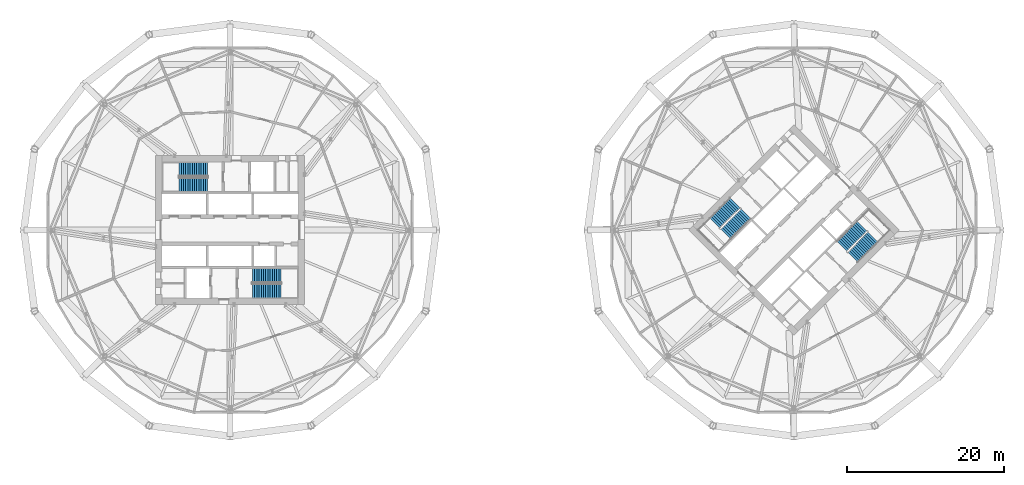
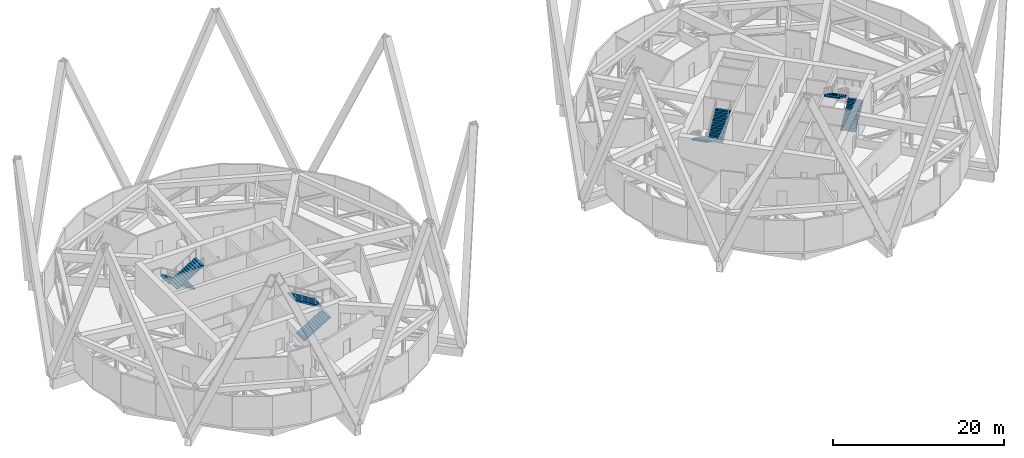
# One storey, part 20 of 21: 8 stair flights, 4 elements without a shape of their own.
"""IFC4 building model written with IfcOpenShell, lengths in metres."""

import ifcopenshell
import ifcopenshell.guid

model = None  # the IFC model being written
_history = None  # IfcOwnerHistory: only IFC2X3 demands one
_inside = {}  # id of a spatial element -> (the spatial element, [elements in it])
_under = {}  # id of a project, library or spatial element -> (it, [spatial elements below it])
_declared = {}  # id of a project -> (the project, [libraries it declares])
_typed = {}  # id of a type object -> (the type object, [elements of that type])
_made_of = {}  # id of a material, layer set ... -> (it, [elements and type objects made of it])


def new_model(schema):
    """Start an empty IFC model of exactly this schema.

    Asked for "IFC4X3", IfcOpenShell would pick the latest addendum, in which some entities
    have other attributes; the version numbers below select the first issue.
    IFC2X3 requires an IfcOwnerHistory on every rooted entity: one is made here for all.
    """
    global model, _history
    if schema == "IFC4X3":
        model = ifcopenshell.file(schema_version=(4, 3, 0, 0))
    else:
        model = ifcopenshell.file(schema=schema)
    _inside.clear()
    _under.clear()
    _declared.clear()
    _typed.clear()
    _made_of.clear()
    _history = None
    if model.schema == "IFC2X3":
        org = make("IfcOrganization", Name="unknown")
        user = make(
            "IfcPersonAndOrganization",
            ThePerson=make("IfcPerson", FamilyName="unknown"),
            TheOrganization=org,
        )
        app = make(
            "IfcApplication",
            ApplicationDeveloper=org,
            Version="unknown",
            ApplicationFullName="unknown",
            ApplicationIdentifier="unknown",
        )
        _history = make(
            "IfcOwnerHistory",
            OwningUser=user,
            OwningApplication=app,
            ChangeAction="ADDED",
            CreationDate=0,
        )
    return model


def make(cls, **values):
    """One entity of the class cls with the attributes given. An attribute that is None is left unset."""
    return model.create_entity(
        cls, **{name: value for name, value in values.items() if value is not None}
    )


def rooted(cls, **values):
    """An entity with a GlobalId (a new one), such as an element, a storey or a relation."""
    return make(cls, GlobalId=ifcopenshell.guid.new(), OwnerHistory=_history, **values)


def si_unit(unit_type, name, prefix=None):
    """IfcSIUnit, for example si_unit("LENGTHUNIT", "METRE", prefix="MILLI")."""
    return make("IfcSIUnit", UnitType=unit_type, Prefix=prefix, Name=name)


def assignment(units):
    """IfcUnitAssignment: the units of a project."""
    return None if units is None else make("IfcUnitAssignment", Units=units)


def point(xyz):
    """IfcCartesianPoint."""
    return None if xyz is None else make("IfcCartesianPoint", Coordinates=xyz)


def direction(xyz):
    """IfcDirection."""
    return None if xyz is None else make("IfcDirection", DirectionRatios=xyz)


def frame(location, z_axis=None, x_axis=None):
    """IfcAxis2Placement3D, a coordinate frame: its origin and axes. An axis left out is left unset."""
    return make(
        "IfcAxis2Placement3D",
        Location=point(location),
        Axis=direction(z_axis),
        RefDirection=direction(x_axis),
    )


def origin():
    """The frame at (0, 0, 0) with its axes left unset."""
    return frame((0.0, 0.0, 0.0))


def place(relative_to, where):
    """IfcLocalPlacement: puts the frame where relative to a parent placement (None: the world)."""
    return make(
        "IfcLocalPlacement", PlacementRelTo=relative_to, RelativePlacement=where
    )


def context(
    kind, dimensions, precision=None, world=None, true_north=None, identifier=None
):
    """IfcGeometricRepresentationContext, for example the 3D "Model" context."""
    return make(
        "IfcGeometricRepresentationContext",
        ContextIdentifier=identifier,
        ContextType=kind,
        CoordinateSpaceDimension=dimensions,
        Precision=precision,
        WorldCoordinateSystem=world,
        TrueNorth=true_north,
    )


def subcontext(parent, identifier, kind, view, scale=None):
    """IfcGeometricRepresentationSubContext, for example "Body" below "Model"."""
    return make(
        "IfcGeometricRepresentationSubContext",
        ContextIdentifier=identifier,
        ContextType=kind,
        ParentContext=parent,
        TargetScale=scale,
        TargetView=view,
    )


def project(units=None, contexts=None):
    """IfcProject with its units and contexts."""
    return rooted(
        "IfcProject",
        Name="project",
        RepresentationContexts=contexts,
        UnitsInContext=assignment(units),
    )


def spatial(cls, under=None, at=None, **own):
    """A site, building, storey or space (cls), placed at a placement, below another one or the project."""
    s = rooted(cls, ObjectPlacement=at, **own)
    if under is not None:
        _under.setdefault(under.id(), (under, []))[1].append(s)
    return s


def polyline(points):
    """IfcPolyline through the points."""
    return make("IfcPolyline", Points=[point(p) for p in points])


def outline(outer, holes=None, kind="AREA"):
    """IfcArbitraryClosedProfileDef: a profile drawn as a closed curve; with holes, ...WithVoids."""
    if holes is None:
        return make("IfcArbitraryClosedProfileDef", ProfileType=kind, OuterCurve=outer)
    return make(
        "IfcArbitraryProfileDefWithVoids",
        ProfileType=kind,
        OuterCurve=outer,
        InnerCurves=holes,
    )


def extrude(swept, where, along, depth):
    """IfcExtrudedAreaSolid: the profile swept, set in the frame where, extruded along a direction by depth."""
    return make(
        "IfcExtrudedAreaSolid",
        SweptArea=swept,
        Position=where,
        ExtrudedDirection=direction(along),
        Depth=depth,
    )


def shape(context_of_items, identifier, shape_type, items):
    """IfcShapeRepresentation: the items that make up one representation, for example the "Body"."""
    return make(
        "IfcShapeRepresentation",
        ContextOfItems=context_of_items,
        RepresentationIdentifier=identifier,
        RepresentationType=shape_type,
        Items=items,
    )


def material(Name=None, Category=None):
    """IfcMaterial."""
    return make("IfcMaterial", Name=Name, Category=Category)


def made_of(thing, what):
    """Note that an element or type object is made of a material, layer set ...; save() writes the relation."""
    if what is not None:
        _made_of.setdefault(what.id(), (what, []))[1].append(thing)
    return thing


def type_object(cls, material=None, **own):
    """A type object (cls), such as IfcWallType, which elements share."""
    return made_of(rooted(cls, **own), material)


def element(
    cls,
    number,
    at=None,
    inside=None,
    cuts=None,
    type_object=None,
    material=None,
    context=None,
    identifier="Body",
    shape_type=None,
    held_by="IfcProductDefinitionShape",
    body=None,
    shapes=None,
    **own,
):
    """One element of the class cls, such as IfcWall. Its Tag is "e" and its number.

    at: its placement. inside: the storey or other place that contains it. cuts: it is an
    opening in that element (IfcRelVoidsElement). A single representation is given by context,
    identifier, shape_type and body (its items); several are given by shapes. held_by: the class
    of the entity that holds the representations. save() writes the other relations.
    """
    e = rooted(cls, Tag="e%d" % number, ObjectPlacement=at, **own)
    if body is not None:
        shapes = [shape(context, identifier, shape_type, body)]
    if shapes is not None:
        e.Representation = make(held_by, Representations=shapes)
    if inside is not None:
        _inside.setdefault(inside.id(), (inside, []))[1].append(e)
    if cuts is not None:
        rooted(
            "IfcRelVoidsElement", RelatingBuildingElement=cuts, RelatedOpeningElement=e
        )
    if type_object is not None:
        _typed.setdefault(type_object.id(), (type_object, []))[1].append(e)
    return made_of(e, material)


def aggregate(whole, parts):
    """IfcRelAggregates: a whole, such as a stair, and the parts it consists of."""
    return rooted("IfcRelAggregates", RelatingObject=whole, RelatedObjects=parts)


def save(model, path):
    """Write the relations noted so far, then the file.

    IfcRelAggregates (storeys below a building ...), IfcRelContainedInSpatialStructure (elements
    in a storey), IfcRelDefinesByType, IfcRelAssociatesMaterial and IfcRelDeclares: one each for
    every whole, place, type object, material and project.
    """
    for whole, parts in _under.values():
        aggregate(whole, parts)
    for where, things in _inside.values():
        rooted(
            "IfcRelContainedInSpatialStructure",
            RelatedElements=things,
            RelatingStructure=where,
        )
    for kind, things in _typed.values():
        rooted("IfcRelDefinesByType", RelatedObjects=things, RelatingType=kind)
    for what, things in _made_of.values():
        rooted("IfcRelAssociatesMaterial", RelatedObjects=things, RelatingMaterial=what)
    for by, libraries in _declared.values():
        rooted("IfcRelDeclares", RelatingContext=by, RelatedDefinitions=libraries)
    model.write(path)


model = new_model("IFC4")

# Units and contexts
model_context = context("Model", 3, precision=1e-05, world=origin(), true_north=direction((0.0, 1.0)))
body_context = subcontext(model_context, "Body", "Model", "MODEL_VIEW")
ifc_project = project(units=[si_unit("LENGTHUNIT", "METRE"), si_unit("AREAUNIT", "SQUARE_METRE"), si_unit("VOLUMEUNIT", "CUBIC_METRE"), si_unit("PLANEANGLEUNIT", "RADIAN"), si_unit("MASSUNIT", "GRAM", prefix="KILO")], contexts=[model_context])

# Site, building, storey
site_placement = place(None, origin())
site = spatial("IfcSite", under=ifc_project, at=site_placement, CompositionType="ELEMENT")
building_placement = place(site_placement, origin())
building = spatial("IfcBuilding", under=site, at=building_placement, Name="Ogive Gate Towers", CompositionType="ELEMENT")
storey_placement = place(building_placement, frame((0.0, 0.0, 71.39990234375)))
storey = spatial("IfcBuildingStorey", under=building, at=storey_placement, Name="L16", CompositionType="ELEMENT", Elevation=71.39990234375)

# Stair, stair flights
ifc_material = material(Name="Concrete C40/50", Category="concrete")
stair_type = type_object("IfcStairType", Name="Escape stair 1840 wide", PredefinedType="HALF_TURN_STAIR", material=ifc_material)
stair_1_placement = place(storey_placement, origin())
stair_1 = element("IfcStair", 1, at=stair_1_placement, inside=storey, type_object=stair_type, Name="L16 Escape stair 1", PredefinedType="HALF_TURN_STAIR")
stair_flight_type = type_object("IfcStairFlightType", Name="Stair flight 1840 wide", PredefinedType="STRAIGHT", material=ifc_material)
stair_flight_1_placement = place(storey_placement, frame((-38.864990234375, 7.780029296875, 0.0), z_axis=(0.0, 0.0, 1.0), x_axis=(-1.0, 0.0, 0.0)))
stair_flight_1 = element("IfcStairFlight", 2, at=stair_flight_1_placement, type_object=stair_flight_type, Name="ST1 flight 1", NumberOfRisers=14, NumberOfTreads=13, PredefinedType="STRAIGHT", RiserHeight=0.171428571, TreadLength=0.28, context=body_context, shape_type="SweptSolid", body=[
    extrude(outline(polyline([(0.0, 0.0), (0.0, 0.17138671875), (0.280029296875, 0.17138671875), (0.280029296875, 0.3427734375), (0.56005859375, 0.3427734375), (0.56005859375, 0.514404296875), (0.840087890625, 0.514404296875), (0.840087890625, 0.685791015625), (1.1201171875, 0.685791015625), (1.1201171875, 0.857177734375), (1.39990234375, 0.857177734375), (1.39990234375, 1.028564453125), (1.679931640625, 1.028564453125), (1.679931640625, 1.199951171875), (1.9599609375, 1.199951171875), (1.9599609375, 1.371337890625), (2.239990234375, 1.371337890625), (2.239990234375, 1.54296875), (2.52001953125, 1.54296875), (2.52001953125, 1.71435546875), (2.800048828125, 1.71435546875), (2.800048828125, 1.8857421875), (3.080078125, 1.8857421875), (3.080078125, 2.05712890625), (3.360107421875, 2.05712890625), (3.360107421875, 2.228515625), (3.639892578125, 2.228515625), (3.639892578125, 2.39990234375), (3.639892578125, 2.052734375), (0.287109375, 0.0), (0.0, 0.0)])), frame((0.0, 0.919921875, 0.0), z_axis=(0.0, -1.0, 0.0), x_axis=(1.0, 0.0, 0.0)), (0.0, 0.0, 1.0), 1.840087890625),
])
stair_flight_2_placement = place(storey_placement, frame((-42.5048828125, 5.794921875, 2.400146484375), z_axis=(0.0, 0.0, 1.0), x_axis=(1.0, 0.0, 0.0)))
stair_flight_2 = element("IfcStairFlight", 3, at=stair_flight_2_placement, type_object=stair_flight_type, Name="ST1 flight 2", NumberOfRisers=14, NumberOfTreads=13, PredefinedType="STRAIGHT", RiserHeight=0.171428571, TreadLength=0.28, context=body_context, shape_type="SweptSolid", body=[
    extrude(outline(polyline([(0.0, 0.0), (0.0, 0.17138671875), (0.280029296875, 0.17138671875), (0.280029296875, 0.3427734375), (0.56005859375, 0.3427734375), (0.56005859375, 0.514404296875), (0.840087890625, 0.514404296875), (0.840087890625, 0.685791015625), (1.1201171875, 0.685791015625), (1.1201171875, 0.857177734375), (1.39990234375, 0.857177734375), (1.39990234375, 1.028564453125), (1.679931640625, 1.028564453125), (1.679931640625, 1.199951171875), (1.9599609375, 1.199951171875), (1.9599609375, 1.371337890625), (2.239990234375, 1.371337890625), (2.239990234375, 1.54296875), (2.52001953125, 1.54296875), (2.52001953125, 1.71435546875), (2.800048828125, 1.71435546875), (2.800048828125, 1.8857421875), (3.080078125, 1.8857421875), (3.080078125, 2.05712890625), (3.360107421875, 2.05712890625), (3.360107421875, 2.228515625), (3.639892578125, 2.228515625), (3.639892578125, 2.39990234375), (3.639892578125, 2.052734375), (0.287109375, 0.0), (0.0, 0.0)])), frame((0.0, 0.919921875, 0.0), z_axis=(0.0, -1.0, 0.0), x_axis=(1.0, 0.0, 0.0)), (0.0, 0.0, 1.0), 1.840087890625),
])
aggregate(stair_1, [stair_flight_1, stair_flight_2])

stair_2_placement = place(storey_placement, origin())
stair_2 = element("IfcStair", 4, at=stair_2_placement, inside=storey, type_object=stair_type, Name="L16 Escape stair 2", PredefinedType="HALF_TURN_STAIR")
stair_flight_3_placement = place(storey_placement, frame((-33.135009765625, -7.780029296875, 0.0), z_axis=(0.0, 0.0, 1.0), x_axis=(1.0, 0.0, 0.0)))
stair_flight_3 = element("IfcStairFlight", 5, at=stair_flight_3_placement, type_object=stair_flight_type, Name="ST2 flight 1", NumberOfRisers=14, NumberOfTreads=13, PredefinedType="STRAIGHT", RiserHeight=0.171428571, TreadLength=0.28, context=body_context, shape_type="SweptSolid", body=[
    extrude(outline(polyline([(0.0, 0.0), (0.0, 0.17138671875), (0.280029296875, 0.17138671875), (0.280029296875, 0.3427734375), (0.56005859375, 0.3427734375), (0.56005859375, 0.514404296875), (0.840087890625, 0.514404296875), (0.840087890625, 0.685791015625), (1.1201171875, 0.685791015625), (1.1201171875, 0.857177734375), (1.39990234375, 0.857177734375), (1.39990234375, 1.028564453125), (1.679931640625, 1.028564453125), (1.679931640625, 1.199951171875), (1.9599609375, 1.199951171875), (1.9599609375, 1.371337890625), (2.239990234375, 1.371337890625), (2.239990234375, 1.54296875), (2.52001953125, 1.54296875), (2.52001953125, 1.71435546875), (2.800048828125, 1.71435546875), (2.800048828125, 1.8857421875), (3.080078125, 1.8857421875), (3.080078125, 2.05712890625), (3.360107421875, 2.05712890625), (3.360107421875, 2.228515625), (3.639892578125, 2.228515625), (3.639892578125, 2.39990234375), (3.639892578125, 2.052734375), (0.287109375, 0.0), (0.0, 0.0)])), frame((0.0, 0.919921875, 0.0), z_axis=(0.0, -1.0, 0.0), x_axis=(1.0, 0.0, 0.0)), (0.0, 0.0, 1.0), 1.840087890625),
])
stair_flight_4_placement = place(storey_placement, frame((-29.4951171875, -5.794921875, 2.400146484375), z_axis=(0.0, 0.0, 1.0), x_axis=(-1.0, 0.0, 0.0)))
stair_flight_4 = element("IfcStairFlight", 6, at=stair_flight_4_placement, type_object=stair_flight_type, Name="ST2 flight 2", NumberOfRisers=14, NumberOfTreads=13, PredefinedType="STRAIGHT", RiserHeight=0.171428571, TreadLength=0.28, context=body_context, shape_type="SweptSolid", body=[
    extrude(outline(polyline([(0.0, 0.0), (0.0, 0.17138671875), (0.280029296875, 0.17138671875), (0.280029296875, 0.3427734375), (0.56005859375, 0.3427734375), (0.56005859375, 0.514404296875), (0.840087890625, 0.514404296875), (0.840087890625, 0.685791015625), (1.1201171875, 0.685791015625), (1.1201171875, 0.857177734375), (1.39990234375, 0.857177734375), (1.39990234375, 1.028564453125), (1.679931640625, 1.028564453125), (1.679931640625, 1.199951171875), (1.9599609375, 1.199951171875), (1.9599609375, 1.371337890625), (2.239990234375, 1.371337890625), (2.239990234375, 1.54296875), (2.52001953125, 1.54296875), (2.52001953125, 1.71435546875), (2.800048828125, 1.71435546875), (2.800048828125, 1.8857421875), (3.080078125, 1.8857421875), (3.080078125, 2.05712890625), (3.360107421875, 2.05712890625), (3.360107421875, 2.228515625), (3.639892578125, 2.228515625), (3.639892578125, 2.39990234375), (3.639892578125, 2.052734375), (0.287109375, 0.0), (0.0, 0.0)])), frame((0.0, 0.919921875, 0.0), z_axis=(0.0, -1.0, 0.0), x_axis=(1.0, 0.0, 0.0)), (0.0, 0.0, 1.0), 1.840087890625),
])
aggregate(stair_2, [stair_flight_3, stair_flight_4])

stair_3_placement = place(storey_placement, origin())
stair_3 = element("IfcStair", 7, at=stair_3_placement, inside=storey, type_object=stair_type, Name="L16 Escape stair 1", PredefinedType="HALF_TURN_STAIR")
stair_flight_5_placement = place(storey_placement, frame((28.472900390625, 3.475341796875, 0.0), z_axis=(0.0, 0.0, 1.0), x_axis=(-0.707106781187, -0.707106781187, 0.0)))
stair_flight_5 = element("IfcStairFlight", 8, at=stair_flight_5_placement, type_object=stair_flight_type, Name="ST1 flight 1", NumberOfRisers=14, NumberOfTreads=13, PredefinedType="STRAIGHT", RiserHeight=0.171428571, TreadLength=0.28, context=body_context, shape_type="SweptSolid", body=[
    extrude(outline(polyline([(0.0, 0.0), (0.0, 0.17138671875), (0.280029296875, 0.17138671875), (0.280029296875, 0.3427734375), (0.56005859375, 0.3427734375), (0.56005859375, 0.514404296875), (0.840087890625, 0.514404296875), (0.840087890625, 0.685791015625), (1.1201171875, 0.685791015625), (1.1201171875, 0.857177734375), (1.39990234375, 0.857177734375), (1.39990234375, 1.028564453125), (1.679931640625, 1.028564453125), (1.679931640625, 1.199951171875), (1.9599609375, 1.199951171875), (1.9599609375, 1.371337890625), (2.239990234375, 1.371337890625), (2.239990234375, 1.54296875), (2.52001953125, 1.54296875), (2.52001953125, 1.71435546875), (2.800048828125, 1.71435546875), (2.800048828125, 1.8857421875), (3.080078125, 1.8857421875), (3.080078125, 2.05712890625), (3.360107421875, 2.05712890625), (3.360107421875, 2.228515625), (3.639892578125, 2.228515625), (3.639892578125, 2.39990234375), (3.639892578125, 2.052734375), (0.287109375, 0.0), (0.0, 0.0)])), frame((0.0, 0.919921875, 0.0), z_axis=(0.0, -1.0, 0.0), x_axis=(1.0, 0.0, 0.0)), (0.0, 0.0, 1.0), 1.840087890625),
])
stair_flight_6_placement = place(storey_placement, frame((27.302490234375, -0.501953125, 2.400146484375), z_axis=(0.0, 0.0, 1.0), x_axis=(0.707106781187, 0.707106781187, 0.0)))
stair_flight_6 = element("IfcStairFlight", 9, at=stair_flight_6_placement, type_object=stair_flight_type, Name="ST1 flight 2", NumberOfRisers=14, NumberOfTreads=13, PredefinedType="STRAIGHT", RiserHeight=0.171428571, TreadLength=0.28, context=body_context, shape_type="SweptSolid", body=[
    extrude(outline(polyline([(0.0, 0.0), (0.0, 0.17138671875), (0.280029296875, 0.17138671875), (0.280029296875, 0.3427734375), (0.56005859375, 0.3427734375), (0.56005859375, 0.514404296875), (0.840087890625, 0.514404296875), (0.840087890625, 0.685791015625), (1.1201171875, 0.685791015625), (1.1201171875, 0.857177734375), (1.39990234375, 0.857177734375), (1.39990234375, 1.028564453125), (1.679931640625, 1.028564453125), (1.679931640625, 1.199951171875), (1.9599609375, 1.199951171875), (1.9599609375, 1.371337890625), (2.239990234375, 1.371337890625), (2.239990234375, 1.54296875), (2.52001953125, 1.54296875), (2.52001953125, 1.71435546875), (2.800048828125, 1.71435546875), (2.800048828125, 1.8857421875), (3.080078125, 1.8857421875), (3.080078125, 2.05712890625), (3.360107421875, 2.05712890625), (3.360107421875, 2.228515625), (3.639892578125, 2.228515625), (3.639892578125, 2.39990234375), (3.639892578125, 2.052734375), (0.287109375, 0.0), (0.0, 0.0)])), frame((0.0, 0.919921875, 0.0), z_axis=(0.0, -1.0, 0.0), x_axis=(1.0, 0.0, 0.0)), (0.0, 0.0, 1.0), 1.840087890625),
])
aggregate(stair_3, [stair_flight_5, stair_flight_6])

stair_4_placement = place(storey_placement, origin())
stair_4 = element("IfcStair", 10, at=stair_4_placement, inside=storey, type_object=stair_type, Name="L16 Escape stair 2", PredefinedType="HALF_TURN_STAIR")
stair_flight_7_placement = place(storey_placement, frame((43.527099609375, -3.475341796875, 0.0), z_axis=(0.0, 0.0, 1.0), x_axis=(0.707106781187, 0.707106781187, 0.0)))
stair_flight_7 = element("IfcStairFlight", 11, at=stair_flight_7_placement, type_object=stair_flight_type, Name="ST2 flight 1", NumberOfRisers=14, NumberOfTreads=13, PredefinedType="STRAIGHT", RiserHeight=0.171428571, TreadLength=0.28, context=body_context, shape_type="SweptSolid", body=[
    extrude(outline(polyline([(0.0, 0.0), (0.0, 0.17138671875), (0.280029296875, 0.17138671875), (0.280029296875, 0.3427734375), (0.56005859375, 0.3427734375), (0.56005859375, 0.514404296875), (0.840087890625, 0.514404296875), (0.840087890625, 0.685791015625), (1.1201171875, 0.685791015625), (1.1201171875, 0.857177734375), (1.39990234375, 0.857177734375), (1.39990234375, 1.028564453125), (1.679931640625, 1.028564453125), (1.679931640625, 1.199951171875), (1.9599609375, 1.199951171875), (1.9599609375, 1.371337890625), (2.239990234375, 1.371337890625), (2.239990234375, 1.54296875), (2.52001953125, 1.54296875), (2.52001953125, 1.71435546875), (2.800048828125, 1.71435546875), (2.800048828125, 1.8857421875), (3.080078125, 1.8857421875), (3.080078125, 2.05712890625), (3.360107421875, 2.05712890625), (3.360107421875, 2.228515625), (3.639892578125, 2.228515625), (3.639892578125, 2.39990234375), (3.639892578125, 2.052734375), (0.287109375, 0.0), (0.0, 0.0)])), frame((0.0, 0.919921875, 0.0), z_axis=(0.0, -1.0, 0.0), x_axis=(1.0, 0.0, 0.0)), (0.0, 0.0, 1.0), 1.840087890625),
])
stair_flight_8_placement = place(storey_placement, frame((44.697509765625, 0.501953125, 2.400146484375), z_axis=(0.0, 0.0, 1.0), x_axis=(-0.707106781187, -0.707106781187, 0.0)))
stair_flight_8 = element("IfcStairFlight", 12, at=stair_flight_8_placement, type_object=stair_flight_type, Name="ST2 flight 2", NumberOfRisers=14, NumberOfTreads=13, PredefinedType="STRAIGHT", RiserHeight=0.171428571, TreadLength=0.28, context=body_context, shape_type="SweptSolid", body=[
    extrude(outline(polyline([(0.0, 0.0), (0.0, 0.17138671875), (0.280029296875, 0.17138671875), (0.280029296875, 0.3427734375), (0.56005859375, 0.3427734375), (0.56005859375, 0.514404296875), (0.840087890625, 0.514404296875), (0.840087890625, 0.685791015625), (1.1201171875, 0.685791015625), (1.1201171875, 0.857177734375), (1.39990234375, 0.857177734375), (1.39990234375, 1.028564453125), (1.679931640625, 1.028564453125), (1.679931640625, 1.199951171875), (1.9599609375, 1.199951171875), (1.9599609375, 1.371337890625), (2.239990234375, 1.371337890625), (2.239990234375, 1.54296875), (2.52001953125, 1.54296875), (2.52001953125, 1.71435546875), (2.800048828125, 1.71435546875), (2.800048828125, 1.8857421875), (3.080078125, 1.8857421875), (3.080078125, 2.05712890625), (3.360107421875, 2.05712890625), (3.360107421875, 2.228515625), (3.639892578125, 2.228515625), (3.639892578125, 2.39990234375), (3.639892578125, 2.052734375), (0.287109375, 0.0), (0.0, 0.0)])), frame((0.0, 0.919921875, 0.0), z_axis=(0.0, -1.0, 0.0), x_axis=(1.0, 0.0, 0.0)), (0.0, 0.0, 1.0), 1.840087890625),
])
aggregate(stair_4, [stair_flight_7, stair_flight_8])

save(model, "model.ifc")
